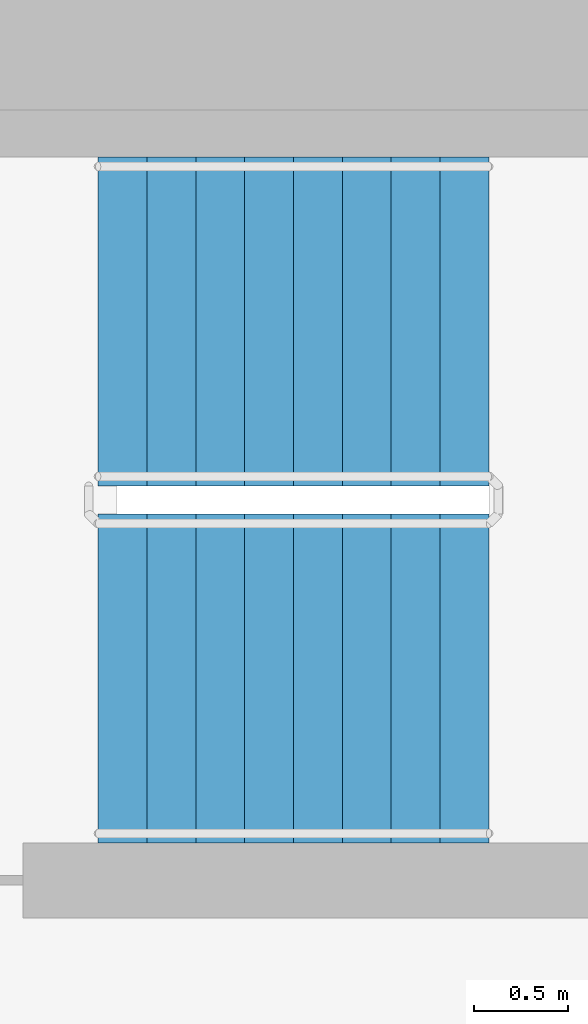
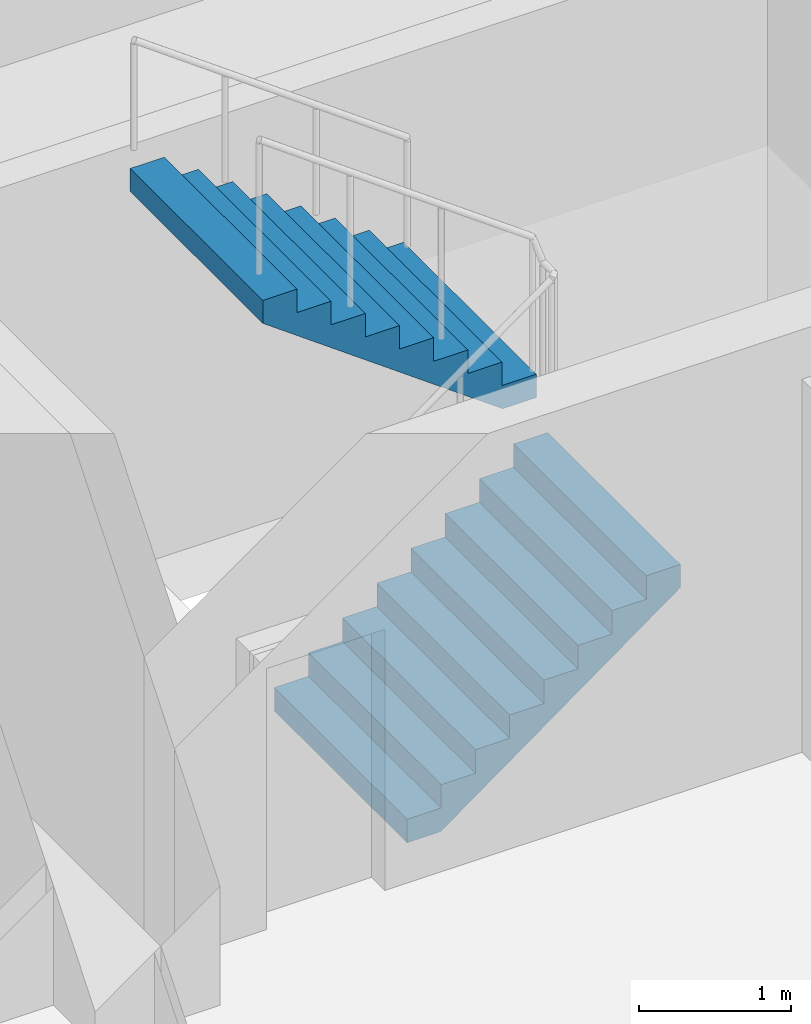
# One storey, part 16 of 21: 2 stair flights, 1 element without a shape of its own.
"""IFC4 building model written with IfcOpenShell, lengths in metres."""

from ifc_helpers import new_model, si_unit, direction, frame, origin, place, context, subcontext, project, spatial, faceted_brep, material, type_object, element, aggregate, save


model = new_model("IFC4")

# Units and contexts
model_context = context("Model", 3, precision=1e-05, world=origin(), true_north=direction((0.0, 1.0)))
body_context = subcontext(model_context, "Body", "Model", "MODEL_VIEW")
ifc_project = project(units=[si_unit("LENGTHUNIT", "METRE"), si_unit("AREAUNIT", "SQUARE_METRE"), si_unit("VOLUMEUNIT", "CUBIC_METRE"), si_unit("PLANEANGLEUNIT", "RADIAN"), si_unit("MASSUNIT", "GRAM", prefix="KILO")], contexts=[model_context])

# Site, building, storey
site_placement = place(None, origin())
site = spatial("IfcSite", under=ifc_project, at=site_placement, CompositionType="ELEMENT")
building_placement = place(site_placement, origin())
building = spatial("IfcBuilding", under=site, at=building_placement, Name="Ipe Terrace Towers", CompositionType="ELEMENT")
storey_placement = place(building_placement, frame((0.0, 0.0, 107.199951171875)))
storey = spatial("IfcBuildingStorey", under=building, at=storey_placement, Name="L29", CompositionType="ELEMENT", Elevation=107.199951171875)

# Stair, stair flights
ifc_material_1 = material(Name="Concrete C30/37", Category="concrete")
stair_type = type_object("IfcStairType", Name="Protected exit stair", PredefinedType="HALF_TURN_STAIR", material=ifc_material_1)
stair_placement = place(storey_placement, origin())
stair = element("IfcStair", 1, at=stair_placement, inside=storey, type_object=stair_type, Name="L29 Exit stair T1-C1", PredefinedType="HALF_TURN_STAIR")
ifc_material_2 = material(Name="Concrete C30/37", Category="concrete")
stair_flight_type = type_object("IfcStairFlightType", Name="Exit stair flight 1750", PredefinedType="STRAIGHT", material=ifc_material_2)
stair_flight_1_placement = place(storey_placement, frame((-26.300048828125, 2.77490234375, 0.0), z_axis=(0.0, 0.0, 1.0), x_axis=(1.0, 0.0, 0.0)))
stair_flight_1 = element("IfcStairFlight", 2, at=stair_flight_1_placement, type_object=stair_flight_type, Name="T1-ST1 flight 1", NumberOfRisers=9, NumberOfTreads=8, PredefinedType="STRAIGHT", RiserHeight=0.188888889, TreadLength=0.26, context=body_context, shape_type="Brep", body=[
    faceted_brep([(0.255126953125, -0.875, 0.0), (2.080078125, -0.875, 1.325927734375), (2.080078125, -0.875, 1.51123046875), (1.820068359375, -0.875, 1.51123046875), (1.820068359375, -0.875, 1.322265625), (1.56005859375, -0.875, 1.322265625), (1.56005859375, -0.875, 1.13330078125), (1.300048828125, -0.875, 1.13330078125), (1.300048828125, -0.875, 0.9443359375), (1.0400390625, -0.875, 0.9443359375), (1.0400390625, -0.875, 0.755615234375), (0.780029296875, -0.875, 0.755615234375), (0.780029296875, -0.875, 0.566650390625), (0.52001953125, -0.875, 0.566650390625), (0.52001953125, -0.875, 0.377685546875), (0.260009765625, -0.875, 0.377685546875), (0.260009765625, -0.875, 0.18896484375), (0.0, -0.875, 0.18896484375), (0.0, -0.875, 0.0), (0.0, 0.875, 0.0), (0.0, 0.875, 0.18896484375), (0.260009765625, 0.875, 0.18896484375), (0.260009765625, 0.875, 0.377685546875), (0.52001953125, 0.875, 0.377685546875), (0.52001953125, 0.875, 0.566650390625), (0.780029296875, 0.875, 0.566650390625), (0.780029296875, 0.875, 0.755615234375), (1.0400390625, 0.875, 0.755615234375), (1.0400390625, 0.875, 0.9443359375), (1.300048828125, 0.875, 0.9443359375), (1.300048828125, 0.875, 1.13330078125), (1.56005859375, 0.875, 1.13330078125), (1.56005859375, 0.875, 1.322265625), (1.820068359375, 0.875, 1.322265625), (1.820068359375, 0.875, 1.51123046875), (2.080078125, 0.875, 1.51123046875), (2.080078125, 0.875, 1.325927734375), (0.255126953125, 0.875, 0.0), (0.0, -0.300048828125, 0.18896484375), (0.0, -0.1201171875, 0.18896484375), (0.0, -0.06005859375, 0.18896484375), (0.0, -0.030029296875, 0.18896484375), (0.0, -0.010009765625, 0.18896484375), (0.0, 0.0, 0.18896484375), (0.0, 0.010009765625, 0.18896484375), (0.0, 0.030029296875, 0.18896484375), (0.0, 0.06005859375, 0.18896484375), (0.0, 0.1201171875, 0.18896484375), (0.0, 0.300048828125, 0.18896484375), (0.0, 0.300048828125, 0.0), (0.0, 0.1201171875, 0.0), (0.0, 0.06005859375, 0.0), (0.0, 0.030029296875, 0.0), (0.0, 0.010009765625, 0.0), (0.0, 0.0, 0.0), (0.0, -0.010009765625, 0.0), (0.0, -0.030029296875, 0.0), (0.0, -0.06005859375, 0.0), (0.0, -0.1201171875, 0.0), (0.0, -0.300048828125, 0.0), (0.260009765625, -0.300048828125, 0.18896484375), (0.260009765625, -0.1201171875, 0.18896484375), (0.260009765625, -0.06005859375, 0.18896484375), (0.260009765625, -0.030029296875, 0.18896484375), (0.260009765625, -0.010009765625, 0.18896484375), (0.260009765625, 0.0, 0.18896484375), (0.260009765625, 0.010009765625, 0.18896484375), (0.260009765625, 0.030029296875, 0.18896484375), (0.260009765625, 0.06005859375, 0.18896484375), (0.260009765625, 0.1201171875, 0.18896484375), (0.260009765625, 0.300048828125, 0.18896484375), (0.260009765625, -0.300048828125, 0.377685546875), (0.260009765625, -0.1201171875, 0.377685546875), (0.260009765625, -0.06005859375, 0.377685546875), (0.260009765625, -0.030029296875, 0.377685546875), (0.260009765625, -0.010009765625, 0.377685546875), (0.260009765625, 0.0, 0.377685546875), (0.260009765625, 0.010009765625, 0.377685546875), (0.260009765625, 0.030029296875, 0.377685546875), (0.260009765625, 0.06005859375, 0.377685546875), (0.260009765625, 0.1201171875, 0.377685546875), (0.260009765625, 0.300048828125, 0.377685546875), (0.52001953125, -0.300048828125, 0.377685546875), (0.52001953125, -0.1201171875, 0.377685546875), (0.52001953125, -0.06005859375, 0.377685546875), (0.52001953125, -0.030029296875, 0.377685546875), (0.52001953125, -0.010009765625, 0.377685546875), (0.52001953125, 0.0, 0.377685546875), (0.52001953125, 0.010009765625, 0.377685546875), (0.52001953125, 0.030029296875, 0.377685546875), (0.52001953125, 0.06005859375, 0.377685546875), (0.52001953125, 0.1201171875, 0.377685546875), (0.52001953125, 0.300048828125, 0.377685546875), (0.52001953125, -0.300048828125, 0.566650390625), (0.52001953125, -0.1201171875, 0.566650390625), (0.52001953125, -0.06005859375, 0.566650390625), (0.52001953125, -0.030029296875, 0.566650390625), (0.52001953125, -0.010009765625, 0.566650390625), (0.52001953125, 0.0, 0.566650390625), (0.52001953125, 0.010009765625, 0.566650390625), (0.52001953125, 0.030029296875, 0.566650390625), (0.52001953125, 0.06005859375, 0.566650390625), (0.52001953125, 0.1201171875, 0.566650390625), (0.52001953125, 0.300048828125, 0.566650390625), (0.780029296875, -0.300048828125, 0.566650390625), (0.780029296875, -0.1201171875, 0.566650390625), (0.780029296875, -0.06005859375, 0.566650390625), (0.780029296875, -0.030029296875, 0.566650390625), (0.780029296875, -0.010009765625, 0.566650390625), (0.780029296875, 0.0, 0.566650390625), (0.780029296875, 0.010009765625, 0.566650390625), (0.780029296875, 0.030029296875, 0.566650390625), (0.780029296875, 0.06005859375, 0.566650390625), (0.780029296875, 0.1201171875, 0.566650390625), (0.780029296875, 0.300048828125, 0.566650390625), (0.780029296875, -0.300048828125, 0.755615234375), (0.780029296875, -0.1201171875, 0.755615234375), (0.780029296875, -0.06005859375, 0.755615234375), (0.780029296875, -0.030029296875, 0.755615234375), (0.780029296875, -0.010009765625, 0.755615234375), (0.780029296875, 0.0, 0.755615234375), (0.780029296875, 0.010009765625, 0.755615234375), (0.780029296875, 0.030029296875, 0.755615234375), (0.780029296875, 0.06005859375, 0.755615234375), (0.780029296875, 0.1201171875, 0.755615234375), (0.780029296875, 0.300048828125, 0.755615234375), (1.0400390625, -0.300048828125, 0.755615234375), (1.0400390625, -0.1201171875, 0.755615234375), (1.0400390625, -0.06005859375, 0.755615234375), (1.0400390625, -0.030029296875, 0.755615234375), (1.0400390625, -0.010009765625, 0.755615234375), (1.0400390625, 0.0, 0.755615234375), (1.0400390625, 0.010009765625, 0.755615234375), (1.0400390625, 0.030029296875, 0.755615234375), (1.0400390625, 0.06005859375, 0.755615234375), (1.0400390625, 0.1201171875, 0.755615234375), (1.0400390625, 0.300048828125, 0.755615234375), (1.0400390625, -0.300048828125, 0.9443359375), (1.0400390625, -0.1201171875, 0.9443359375), (1.0400390625, -0.06005859375, 0.9443359375), (1.0400390625, -0.030029296875, 0.9443359375), (1.0400390625, -0.010009765625, 0.9443359375), (1.0400390625, 0.0, 0.9443359375), (1.0400390625, 0.010009765625, 0.9443359375), (1.0400390625, 0.030029296875, 0.9443359375), (1.0400390625, 0.06005859375, 0.9443359375), (1.0400390625, 0.1201171875, 0.9443359375), (1.0400390625, 0.300048828125, 0.9443359375), (1.300048828125, -0.300048828125, 0.9443359375), (1.300048828125, -0.1201171875, 0.9443359375), (1.300048828125, -0.06005859375, 0.9443359375), (1.300048828125, -0.030029296875, 0.9443359375), (1.300048828125, -0.010009765625, 0.9443359375), (1.300048828125, 0.0, 0.9443359375), (1.300048828125, 0.010009765625, 0.9443359375), (1.300048828125, 0.030029296875, 0.9443359375), (1.300048828125, 0.06005859375, 0.9443359375), (1.300048828125, 0.1201171875, 0.9443359375), (1.300048828125, 0.300048828125, 0.9443359375), (1.300048828125, -0.300048828125, 1.13330078125), (1.300048828125, -0.1201171875, 1.13330078125), (1.300048828125, -0.06005859375, 1.13330078125), (1.300048828125, -0.030029296875, 1.13330078125), (1.300048828125, -0.010009765625, 1.13330078125), (1.300048828125, 0.0, 1.13330078125), (1.300048828125, 0.010009765625, 1.13330078125), (1.300048828125, 0.030029296875, 1.13330078125), (1.300048828125, 0.06005859375, 1.13330078125), (1.300048828125, 0.1201171875, 1.13330078125), (1.300048828125, 0.300048828125, 1.13330078125), (1.56005859375, -0.300048828125, 1.13330078125), (1.56005859375, -0.1201171875, 1.13330078125), (1.56005859375, -0.06005859375, 1.13330078125), (1.56005859375, -0.030029296875, 1.13330078125), (1.56005859375, -0.010009765625, 1.13330078125), (1.56005859375, 0.0, 1.13330078125), (1.56005859375, 0.010009765625, 1.13330078125), (1.56005859375, 0.030029296875, 1.13330078125), (1.56005859375, 0.06005859375, 1.13330078125), (1.56005859375, 0.1201171875, 1.13330078125), (1.56005859375, 0.300048828125, 1.13330078125), (1.56005859375, -0.300048828125, 1.322265625), (1.56005859375, -0.1201171875, 1.322265625), (1.56005859375, -0.06005859375, 1.322265625), (1.56005859375, -0.030029296875, 1.322265625), (1.56005859375, -0.010009765625, 1.322265625), (1.56005859375, 0.0, 1.322265625), (1.56005859375, 0.010009765625, 1.322265625), (1.56005859375, 0.030029296875, 1.322265625), (1.56005859375, 0.06005859375, 1.322265625), (1.56005859375, 0.1201171875, 1.322265625), (1.56005859375, 0.300048828125, 1.322265625), (1.820068359375, -0.300048828125, 1.322265625), (1.820068359375, -0.1201171875, 1.322265625), (1.820068359375, -0.06005859375, 1.322265625), (1.820068359375, -0.030029296875, 1.322265625), (1.820068359375, -0.010009765625, 1.322265625), (1.820068359375, 0.0, 1.322265625), (1.820068359375, 0.010009765625, 1.322265625), (1.820068359375, 0.030029296875, 1.322265625), (1.820068359375, 0.06005859375, 1.322265625), (1.820068359375, 0.1201171875, 1.322265625), (1.820068359375, 0.300048828125, 1.322265625), (1.820068359375, -0.300048828125, 1.51123046875), (1.820068359375, -0.1201171875, 1.51123046875), (1.820068359375, -0.06005859375, 1.51123046875), (1.820068359375, -0.030029296875, 1.51123046875), (1.820068359375, -0.010009765625, 1.51123046875), (1.820068359375, 0.0, 1.51123046875), (1.820068359375, 0.010009765625, 1.51123046875), (1.820068359375, 0.030029296875, 1.51123046875), (1.820068359375, 0.06005859375, 1.51123046875), (1.820068359375, 0.1201171875, 1.51123046875), (1.820068359375, 0.300048828125, 1.51123046875), (2.080078125, -0.300048828125, 1.51123046875), (2.080078125, -0.1201171875, 1.51123046875), (2.080078125, -0.06005859375, 1.51123046875), (2.080078125, -0.030029296875, 1.51123046875), (2.080078125, -0.010009765625, 1.51123046875), (2.080078125, 0.0, 1.51123046875), (2.080078125, 0.010009765625, 1.51123046875), (2.080078125, 0.030029296875, 1.51123046875), (2.080078125, 0.06005859375, 1.51123046875), (2.080078125, 0.1201171875, 1.51123046875), (2.080078125, 0.300048828125, 1.51123046875), (2.080078125, -0.300048828125, 1.325927734375), (2.080078125, -0.1201171875, 1.325927734375), (2.080078125, -0.06005859375, 1.325927734375), (2.080078125, -0.030029296875, 1.325927734375), (2.080078125, -0.010009765625, 1.325927734375), (2.080078125, 0.0, 1.325927734375), (2.080078125, 0.010009765625, 1.325927734375), (2.080078125, 0.030029296875, 1.325927734375), (2.080078125, 0.06005859375, 1.325927734375), (2.080078125, 0.1201171875, 1.325927734375), (2.080078125, 0.300048828125, 1.325927734375), (0.255126953125, -0.300048828125, 0.0), (0.255126953125, -0.1201171875, 0.0), (0.255126953125, -0.06005859375, 0.0), (0.255126953125, -0.030029296875, 0.0), (0.255126953125, -0.010009765625, 0.0), (0.255126953125, 0.0, 0.0), (0.255126953125, 0.010009765625, 0.0), (0.255126953125, 0.030029296875, 0.0), (0.255126953125, 0.06005859375, 0.0), (0.255126953125, 0.1201171875, 0.0), (0.255126953125, 0.300048828125, 0.0)], [[[0, 1, 2, 3, 4, 5, 6, 7, 8, 9, 10, 11, 12, 13, 14, 15, 16, 17, 18]], [[19, 20, 21, 22, 23, 24, 25, 26, 27, 28, 29, 30, 31, 32, 33, 34, 35, 36, 37]], [[17, 38, 39, 40, 41, 42, 43, 44, 45, 46, 47, 48, 20, 19, 49, 50, 51, 52, 53, 54, 55, 56, 57, 58, 59, 18]], [[16, 60, 61, 62, 63, 64, 65, 66, 67, 68, 69, 70, 21, 20, 48, 47, 46, 45, 44, 43, 42, 41, 40, 39, 38, 17]], [[15, 71, 72, 73, 74, 75, 76, 77, 78, 79, 80, 81, 22, 21, 70, 69, 68, 67, 66, 65, 64, 63, 62, 61, 60, 16]], [[14, 82, 83, 84, 85, 86, 87, 88, 89, 90, 91, 92, 23, 22, 81, 80, 79, 78, 77, 76, 75, 74, 73, 72, 71, 15]], [[13, 93, 94, 95, 96, 97, 98, 99, 100, 101, 102, 103, 24, 23, 92, 91, 90, 89, 88, 87, 86, 85, 84, 83, 82, 14]], [[12, 104, 105, 106, 107, 108, 109, 110, 111, 112, 113, 114, 25, 24, 103, 102, 101, 100, 99, 98, 97, 96, 95, 94, 93, 13]], [[11, 115, 116, 117, 118, 119, 120, 121, 122, 123, 124, 125, 26, 25, 114, 113, 112, 111, 110, 109, 108, 107, 106, 105, 104, 12]], [[10, 126, 127, 128, 129, 130, 131, 132, 133, 134, 135, 136, 27, 26, 125, 124, 123, 122, 121, 120, 119, 118, 117, 116, 115, 11]], [[9, 137, 138, 139, 140, 141, 142, 143, 144, 145, 146, 147, 28, 27, 136, 135, 134, 133, 132, 131, 130, 129, 128, 127, 126, 10]], [[8, 148, 149, 150, 151, 152, 153, 154, 155, 156, 157, 158, 29, 28, 147, 146, 145, 144, 143, 142, 141, 140, 139, 138, 137, 9]], [[7, 159, 160, 161, 162, 163, 164, 165, 166, 167, 168, 169, 30, 29, 158, 157, 156, 155, 154, 153, 152, 151, 150, 149, 148, 8]], [[6, 170, 171, 172, 173, 174, 175, 176, 177, 178, 179, 180, 31, 30, 169, 168, 167, 166, 165, 164, 163, 162, 161, 160, 159, 7]], [[5, 181, 182, 183, 184, 185, 186, 187, 188, 189, 190, 191, 32, 31, 180, 179, 178, 177, 176, 175, 174, 173, 172, 171, 170, 6]], [[4, 192, 193, 194, 195, 196, 197, 198, 199, 200, 201, 202, 33, 32, 191, 190, 189, 188, 187, 186, 185, 184, 183, 182, 181, 5]], [[3, 203, 204, 205, 206, 207, 208, 209, 210, 211, 212, 213, 34, 33, 202, 201, 200, 199, 198, 197, 196, 195, 194, 193, 192, 4]], [[2, 214, 215, 216, 217, 218, 219, 220, 221, 222, 223, 224, 35, 34, 213, 212, 211, 210, 209, 208, 207, 206, 205, 204, 203, 3]], [[1, 225, 226, 227, 228, 229, 230, 231, 232, 233, 234, 235, 36, 35, 224, 223, 222, 221, 220, 219, 218, 217, 216, 215, 214, 2]], [[0, 236, 237, 238, 239, 240, 241, 242, 243, 244, 245, 246, 37, 36, 235, 234, 233, 232, 231, 230, 229, 228, 227, 226, 225, 1]], [[18, 59, 58, 57, 56, 55, 54, 53, 52, 51, 50, 49, 19, 37, 246, 245, 244, 243, 242, 241, 240, 239, 238, 237, 236, 0]]]),
])
stair_flight_2_placement = place(storey_placement, frame((-24.219970703125, 4.675048828125, 1.699951171875), z_axis=(0.0, 0.0, 1.0), x_axis=(-1.0, 0.0, 0.0)))
stair_flight_2 = element("IfcStairFlight", 3, at=stair_flight_2_placement, type_object=stair_flight_type, Name="T1-ST1 flight 2", NumberOfRisers=9, NumberOfTreads=8, PredefinedType="STRAIGHT", RiserHeight=0.188888889, TreadLength=0.26, context=body_context, shape_type="Brep", body=[
    faceted_brep([(0.255126953125, -0.875, 0.0), (2.080078125, -0.875, 1.325927734375), (2.080078125, -0.875, 1.51123046875), (1.820068359375, -0.875, 1.51123046875), (1.820068359375, -0.875, 1.322265625), (1.56005859375, -0.875, 1.322265625), (1.56005859375, -0.875, 1.13330078125), (1.300048828125, -0.875, 1.13330078125), (1.300048828125, -0.875, 0.9443359375), (1.0400390625, -0.875, 0.9443359375), (1.0400390625, -0.875, 0.755615234375), (0.780029296875, -0.875, 0.755615234375), (0.780029296875, -0.875, 0.566650390625), (0.52001953125, -0.875, 0.566650390625), (0.52001953125, -0.875, 0.377685546875), (0.260009765625, -0.875, 0.377685546875), (0.260009765625, -0.875, 0.18896484375), (0.0, -0.875, 0.18896484375), (0.0, -0.875, 0.0), (0.0, 0.875, 0.0), (0.0, 0.875, 0.18896484375), (0.260009765625, 0.875, 0.18896484375), (0.260009765625, 0.875, 0.377685546875), (0.52001953125, 0.875, 0.377685546875), (0.52001953125, 0.875, 0.566650390625), (0.780029296875, 0.875, 0.566650390625), (0.780029296875, 0.875, 0.755615234375), (1.0400390625, 0.875, 0.755615234375), (1.0400390625, 0.875, 0.9443359375), (1.300048828125, 0.875, 0.9443359375), (1.300048828125, 0.875, 1.13330078125), (1.56005859375, 0.875, 1.13330078125), (1.56005859375, 0.875, 1.322265625), (1.820068359375, 0.875, 1.322265625), (1.820068359375, 0.875, 1.51123046875), (2.080078125, 0.875, 1.51123046875), (2.080078125, 0.875, 1.325927734375), (0.255126953125, 0.875, 0.0), (0.0, -0.300048828125, 0.18896484375), (0.0, -0.1201171875, 0.18896484375), (0.0, -0.06005859375, 0.18896484375), (0.0, -0.030029296875, 0.18896484375), (0.0, -0.010009765625, 0.18896484375), (0.0, 0.0, 0.18896484375), (0.0, 0.010009765625, 0.18896484375), (0.0, 0.030029296875, 0.18896484375), (0.0, 0.06005859375, 0.18896484375), (0.0, 0.1201171875, 0.18896484375), (0.0, 0.300048828125, 0.18896484375), (0.0, 0.300048828125, 0.0), (0.0, 0.1201171875, 0.0), (0.0, 0.06005859375, 0.0), (0.0, 0.030029296875, 0.0), (0.0, 0.010009765625, 0.0), (0.0, 0.0, 0.0), (0.0, -0.010009765625, 0.0), (0.0, -0.030029296875, 0.0), (0.0, -0.06005859375, 0.0), (0.0, -0.1201171875, 0.0), (0.0, -0.300048828125, 0.0), (0.260009765625, -0.300048828125, 0.18896484375), (0.260009765625, -0.1201171875, 0.18896484375), (0.260009765625, -0.06005859375, 0.18896484375), (0.260009765625, -0.030029296875, 0.18896484375), (0.260009765625, -0.010009765625, 0.18896484375), (0.260009765625, 0.0, 0.18896484375), (0.260009765625, 0.010009765625, 0.18896484375), (0.260009765625, 0.030029296875, 0.18896484375), (0.260009765625, 0.06005859375, 0.18896484375), (0.260009765625, 0.1201171875, 0.18896484375), (0.260009765625, 0.300048828125, 0.18896484375), (0.260009765625, -0.300048828125, 0.377685546875), (0.260009765625, -0.1201171875, 0.377685546875), (0.260009765625, -0.06005859375, 0.377685546875), (0.260009765625, -0.030029296875, 0.377685546875), (0.260009765625, -0.010009765625, 0.377685546875), (0.260009765625, 0.0, 0.377685546875), (0.260009765625, 0.010009765625, 0.377685546875), (0.260009765625, 0.030029296875, 0.377685546875), (0.260009765625, 0.06005859375, 0.377685546875), (0.260009765625, 0.1201171875, 0.377685546875), (0.260009765625, 0.300048828125, 0.377685546875), (0.52001953125, -0.300048828125, 0.377685546875), (0.52001953125, -0.1201171875, 0.377685546875), (0.52001953125, -0.06005859375, 0.377685546875), (0.52001953125, -0.030029296875, 0.377685546875), (0.52001953125, -0.010009765625, 0.377685546875), (0.52001953125, 0.0, 0.377685546875), (0.52001953125, 0.010009765625, 0.377685546875), (0.52001953125, 0.030029296875, 0.377685546875), (0.52001953125, 0.06005859375, 0.377685546875), (0.52001953125, 0.1201171875, 0.377685546875), (0.52001953125, 0.300048828125, 0.377685546875), (0.52001953125, -0.300048828125, 0.566650390625), (0.52001953125, -0.1201171875, 0.566650390625), (0.52001953125, -0.06005859375, 0.566650390625), (0.52001953125, -0.030029296875, 0.566650390625), (0.52001953125, -0.010009765625, 0.566650390625), (0.52001953125, 0.0, 0.566650390625), (0.52001953125, 0.010009765625, 0.566650390625), (0.52001953125, 0.030029296875, 0.566650390625), (0.52001953125, 0.06005859375, 0.566650390625), (0.52001953125, 0.1201171875, 0.566650390625), (0.52001953125, 0.300048828125, 0.566650390625), (0.780029296875, -0.300048828125, 0.566650390625), (0.780029296875, -0.1201171875, 0.566650390625), (0.780029296875, -0.06005859375, 0.566650390625), (0.780029296875, -0.030029296875, 0.566650390625), (0.780029296875, -0.010009765625, 0.566650390625), (0.780029296875, 0.0, 0.566650390625), (0.780029296875, 0.010009765625, 0.566650390625), (0.780029296875, 0.030029296875, 0.566650390625), (0.780029296875, 0.06005859375, 0.566650390625), (0.780029296875, 0.1201171875, 0.566650390625), (0.780029296875, 0.300048828125, 0.566650390625), (0.780029296875, -0.300048828125, 0.755615234375), (0.780029296875, -0.1201171875, 0.755615234375), (0.780029296875, -0.06005859375, 0.755615234375), (0.780029296875, -0.030029296875, 0.755615234375), (0.780029296875, -0.010009765625, 0.755615234375), (0.780029296875, 0.0, 0.755615234375), (0.780029296875, 0.010009765625, 0.755615234375), (0.780029296875, 0.030029296875, 0.755615234375), (0.780029296875, 0.06005859375, 0.755615234375), (0.780029296875, 0.1201171875, 0.755615234375), (0.780029296875, 0.300048828125, 0.755615234375), (1.0400390625, -0.300048828125, 0.755615234375), (1.0400390625, -0.1201171875, 0.755615234375), (1.0400390625, -0.06005859375, 0.755615234375), (1.0400390625, -0.030029296875, 0.755615234375), (1.0400390625, -0.010009765625, 0.755615234375), (1.0400390625, 0.0, 0.755615234375), (1.0400390625, 0.010009765625, 0.755615234375), (1.0400390625, 0.030029296875, 0.755615234375), (1.0400390625, 0.06005859375, 0.755615234375), (1.0400390625, 0.1201171875, 0.755615234375), (1.0400390625, 0.300048828125, 0.755615234375), (1.0400390625, -0.300048828125, 0.9443359375), (1.0400390625, -0.1201171875, 0.9443359375), (1.0400390625, -0.06005859375, 0.9443359375), (1.0400390625, -0.030029296875, 0.9443359375), (1.0400390625, -0.010009765625, 0.9443359375), (1.0400390625, 0.0, 0.9443359375), (1.0400390625, 0.010009765625, 0.9443359375), (1.0400390625, 0.030029296875, 0.9443359375), (1.0400390625, 0.06005859375, 0.9443359375), (1.0400390625, 0.1201171875, 0.9443359375), (1.0400390625, 0.300048828125, 0.9443359375), (1.300048828125, -0.300048828125, 0.9443359375), (1.300048828125, -0.1201171875, 0.9443359375), (1.300048828125, -0.06005859375, 0.9443359375), (1.300048828125, -0.030029296875, 0.9443359375), (1.300048828125, -0.010009765625, 0.9443359375), (1.300048828125, 0.0, 0.9443359375), (1.300048828125, 0.010009765625, 0.9443359375), (1.300048828125, 0.030029296875, 0.9443359375), (1.300048828125, 0.06005859375, 0.9443359375), (1.300048828125, 0.1201171875, 0.9443359375), (1.300048828125, 0.300048828125, 0.9443359375), (1.300048828125, -0.300048828125, 1.13330078125), (1.300048828125, -0.1201171875, 1.13330078125), (1.300048828125, -0.06005859375, 1.13330078125), (1.300048828125, -0.030029296875, 1.13330078125), (1.300048828125, -0.010009765625, 1.13330078125), (1.300048828125, 0.0, 1.13330078125), (1.300048828125, 0.010009765625, 1.13330078125), (1.300048828125, 0.030029296875, 1.13330078125), (1.300048828125, 0.06005859375, 1.13330078125), (1.300048828125, 0.1201171875, 1.13330078125), (1.300048828125, 0.300048828125, 1.13330078125), (1.56005859375, -0.300048828125, 1.13330078125), (1.56005859375, -0.1201171875, 1.13330078125), (1.56005859375, -0.06005859375, 1.13330078125), (1.56005859375, -0.030029296875, 1.13330078125), (1.56005859375, -0.010009765625, 1.13330078125), (1.56005859375, 0.0, 1.13330078125), (1.56005859375, 0.010009765625, 1.13330078125), (1.56005859375, 0.030029296875, 1.13330078125), (1.56005859375, 0.06005859375, 1.13330078125), (1.56005859375, 0.1201171875, 1.13330078125), (1.56005859375, 0.300048828125, 1.13330078125), (1.56005859375, -0.300048828125, 1.322265625), (1.56005859375, -0.1201171875, 1.322265625), (1.56005859375, -0.06005859375, 1.322265625), (1.56005859375, -0.030029296875, 1.322265625), (1.56005859375, -0.010009765625, 1.322265625), (1.56005859375, 0.0, 1.322265625), (1.56005859375, 0.010009765625, 1.322265625), (1.56005859375, 0.030029296875, 1.322265625), (1.56005859375, 0.06005859375, 1.322265625), (1.56005859375, 0.1201171875, 1.322265625), (1.56005859375, 0.300048828125, 1.322265625), (1.820068359375, -0.300048828125, 1.322265625), (1.820068359375, -0.1201171875, 1.322265625), (1.820068359375, -0.06005859375, 1.322265625), (1.820068359375, -0.030029296875, 1.322265625), (1.820068359375, -0.010009765625, 1.322265625), (1.820068359375, 0.0, 1.322265625), (1.820068359375, 0.010009765625, 1.322265625), (1.820068359375, 0.030029296875, 1.322265625), (1.820068359375, 0.06005859375, 1.322265625), (1.820068359375, 0.1201171875, 1.322265625), (1.820068359375, 0.300048828125, 1.322265625), (1.820068359375, -0.300048828125, 1.51123046875), (1.820068359375, -0.1201171875, 1.51123046875), (1.820068359375, -0.06005859375, 1.51123046875), (1.820068359375, -0.030029296875, 1.51123046875), (1.820068359375, -0.010009765625, 1.51123046875), (1.820068359375, 0.0, 1.51123046875), (1.820068359375, 0.010009765625, 1.51123046875), (1.820068359375, 0.030029296875, 1.51123046875), (1.820068359375, 0.06005859375, 1.51123046875), (1.820068359375, 0.1201171875, 1.51123046875), (1.820068359375, 0.300048828125, 1.51123046875), (2.080078125, -0.300048828125, 1.51123046875), (2.080078125, -0.1201171875, 1.51123046875), (2.080078125, -0.06005859375, 1.51123046875), (2.080078125, -0.030029296875, 1.51123046875), (2.080078125, -0.010009765625, 1.51123046875), (2.080078125, 0.0, 1.51123046875), (2.080078125, 0.010009765625, 1.51123046875), (2.080078125, 0.030029296875, 1.51123046875), (2.080078125, 0.06005859375, 1.51123046875), (2.080078125, 0.1201171875, 1.51123046875), (2.080078125, 0.300048828125, 1.51123046875), (2.080078125, -0.300048828125, 1.325927734375), (2.080078125, -0.1201171875, 1.325927734375), (2.080078125, -0.06005859375, 1.325927734375), (2.080078125, -0.030029296875, 1.325927734375), (2.080078125, -0.010009765625, 1.325927734375), (2.080078125, 0.0, 1.325927734375), (2.080078125, 0.010009765625, 1.325927734375), (2.080078125, 0.030029296875, 1.325927734375), (2.080078125, 0.06005859375, 1.325927734375), (2.080078125, 0.1201171875, 1.325927734375), (2.080078125, 0.300048828125, 1.325927734375), (0.255126953125, -0.300048828125, 0.0), (0.255126953125, -0.1201171875, 0.0), (0.255126953125, -0.06005859375, 0.0), (0.255126953125, -0.030029296875, 0.0), (0.255126953125, -0.010009765625, 0.0), (0.255126953125, 0.0, 0.0), (0.255126953125, 0.010009765625, 0.0), (0.255126953125, 0.030029296875, 0.0), (0.255126953125, 0.06005859375, 0.0), (0.255126953125, 0.1201171875, 0.0), (0.255126953125, 0.300048828125, 0.0)], [[[0, 1, 2, 3, 4, 5, 6, 7, 8, 9, 10, 11, 12, 13, 14, 15, 16, 17, 18]], [[19, 20, 21, 22, 23, 24, 25, 26, 27, 28, 29, 30, 31, 32, 33, 34, 35, 36, 37]], [[17, 38, 39, 40, 41, 42, 43, 44, 45, 46, 47, 48, 20, 19, 49, 50, 51, 52, 53, 54, 55, 56, 57, 58, 59, 18]], [[16, 60, 61, 62, 63, 64, 65, 66, 67, 68, 69, 70, 21, 20, 48, 47, 46, 45, 44, 43, 42, 41, 40, 39, 38, 17]], [[15, 71, 72, 73, 74, 75, 76, 77, 78, 79, 80, 81, 22, 21, 70, 69, 68, 67, 66, 65, 64, 63, 62, 61, 60, 16]], [[14, 82, 83, 84, 85, 86, 87, 88, 89, 90, 91, 92, 23, 22, 81, 80, 79, 78, 77, 76, 75, 74, 73, 72, 71, 15]], [[13, 93, 94, 95, 96, 97, 98, 99, 100, 101, 102, 103, 24, 23, 92, 91, 90, 89, 88, 87, 86, 85, 84, 83, 82, 14]], [[12, 104, 105, 106, 107, 108, 109, 110, 111, 112, 113, 114, 25, 24, 103, 102, 101, 100, 99, 98, 97, 96, 95, 94, 93, 13]], [[11, 115, 116, 117, 118, 119, 120, 121, 122, 123, 124, 125, 26, 25, 114, 113, 112, 111, 110, 109, 108, 107, 106, 105, 104, 12]], [[10, 126, 127, 128, 129, 130, 131, 132, 133, 134, 135, 136, 27, 26, 125, 124, 123, 122, 121, 120, 119, 118, 117, 116, 115, 11]], [[9, 137, 138, 139, 140, 141, 142, 143, 144, 145, 146, 147, 28, 27, 136, 135, 134, 133, 132, 131, 130, 129, 128, 127, 126, 10]], [[8, 148, 149, 150, 151, 152, 153, 154, 155, 156, 157, 158, 29, 28, 147, 146, 145, 144, 143, 142, 141, 140, 139, 138, 137, 9]], [[7, 159, 160, 161, 162, 163, 164, 165, 166, 167, 168, 169, 30, 29, 158, 157, 156, 155, 154, 153, 152, 151, 150, 149, 148, 8]], [[6, 170, 171, 172, 173, 174, 175, 176, 177, 178, 179, 180, 31, 30, 169, 168, 167, 166, 165, 164, 163, 162, 161, 160, 159, 7]], [[5, 181, 182, 183, 184, 185, 186, 187, 188, 189, 190, 191, 32, 31, 180, 179, 178, 177, 176, 175, 174, 173, 172, 171, 170, 6]], [[4, 192, 193, 194, 195, 196, 197, 198, 199, 200, 201, 202, 33, 32, 191, 190, 189, 188, 187, 186, 185, 184, 183, 182, 181, 5]], [[3, 203, 204, 205, 206, 207, 208, 209, 210, 211, 212, 213, 34, 33, 202, 201, 200, 199, 198, 197, 196, 195, 194, 193, 192, 4]], [[2, 214, 215, 216, 217, 218, 219, 220, 221, 222, 223, 224, 35, 34, 213, 212, 211, 210, 209, 208, 207, 206, 205, 204, 203, 3]], [[1, 225, 226, 227, 228, 229, 230, 231, 232, 233, 234, 235, 36, 35, 224, 223, 222, 221, 220, 219, 218, 217, 216, 215, 214, 2]], [[0, 236, 237, 238, 239, 240, 241, 242, 243, 244, 245, 246, 37, 36, 235, 234, 233, 232, 231, 230, 229, 228, 227, 226, 225, 1]], [[18, 59, 58, 57, 56, 55, 54, 53, 52, 51, 50, 49, 19, 37, 246, 245, 244, 243, 242, 241, 240, 239, 238, 237, 236, 0]]]),
])
aggregate(stair, [stair_flight_1, stair_flight_2])

save(model, "model.ifc")
